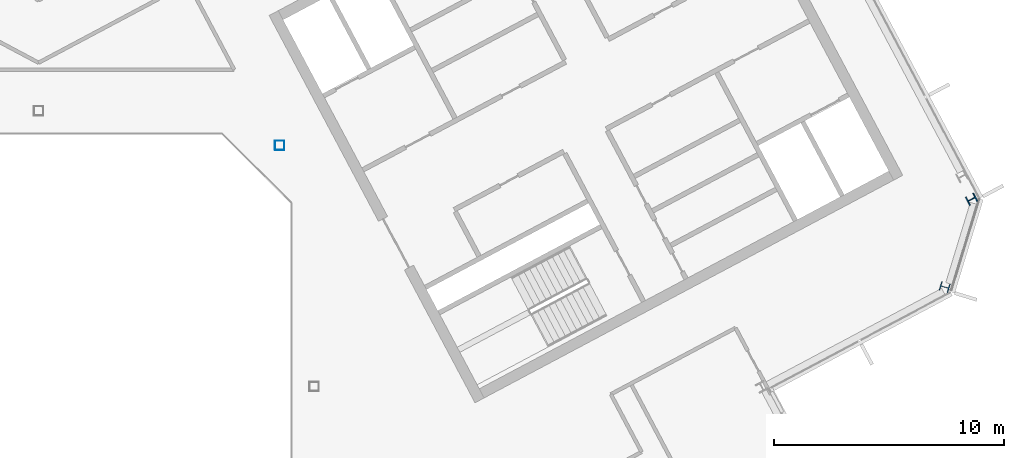
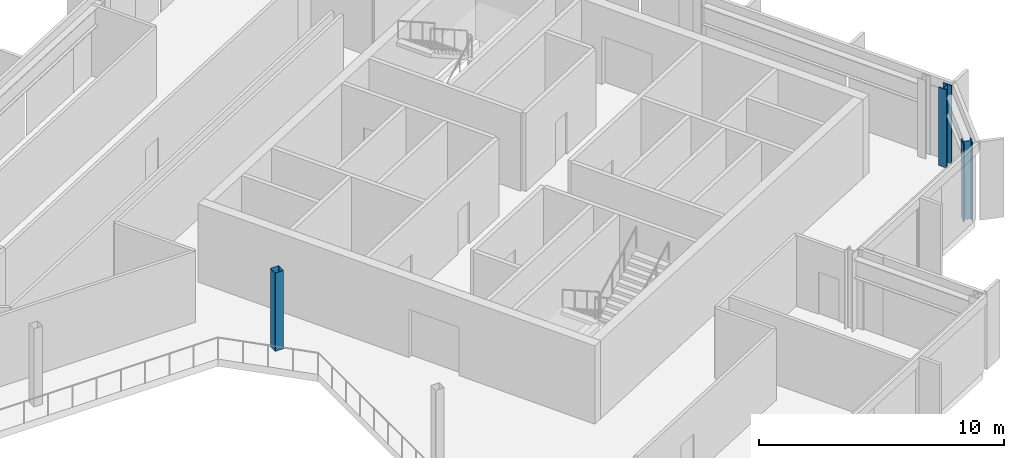
# One storey, part 6 of 25: 3 columns.
"""IFC4 building model written with IfcOpenShell, lengths in metres."""

from ifc_helpers import new_model, si_unit, direction, frame, origin, origin_2d, place, context, subcontext, project, spatial, hollow_rectangle, i_section, extrude, material, material_profile, profile_set, type_object, element, save


model = new_model("IFC4")

# Units and contexts
model_context = context("Model", 3, precision=1e-05, world=origin(), true_north=direction((0.0, 1.0)))
body_context = subcontext(model_context, "Body", "Model", "MODEL_VIEW")
ifc_project = project(units=[si_unit("LENGTHUNIT", "METRE"), si_unit("AREAUNIT", "SQUARE_METRE"), si_unit("VOLUMEUNIT", "CUBIC_METRE"), si_unit("PLANEANGLEUNIT", "RADIAN"), si_unit("MASSUNIT", "GRAM", prefix="KILO")], contexts=[model_context])

# Site, building, storey
site_placement = place(None, origin())
site = spatial("IfcSite", under=ifc_project, at=site_placement, CompositionType="ELEMENT")
building_placement = place(site_placement, origin())
building = spatial("IfcBuilding", under=site, at=building_placement, Name="Cormorant Relay Tower", CompositionType="ELEMENT")
storey_placement = place(building_placement, frame((0.0, 0.0, 289.199951171875)))
storey = spatial("IfcBuildingStorey", under=building, at=storey_placement, Name="L65", CompositionType="ELEMENT", Elevation=289.199951171875)

# Columns
ifc_material_1 = material(Name="Steel ASTM A500 Grade C (Fy 345 MPa)", Category="steel")
ifc_material_profile_1 = material_profile(ifc_material_1, hollow_rectangle(XDim=0.406494140625, YDim=0.406494140625, WallThickness=0.0087890625, InnerFilletRadius=0.00439453125, OuterFilletRadius=0.01318359375, at=origin_2d()), Name="HSS406x406x9")
ifc_profile_set_1 = profile_set([ifc_material_profile_1], Name="Steel ASTM A500 Grade C (Fy 345 MPa)")
column_type_1 = type_object("IfcColumnType", Name="Column HSS406x406x9", PredefinedType="COLUMN", material=ifc_profile_set_1)
column_placement = place(storey_placement, frame((10.5, 10.5, 0.0), z_axis=(0.0, 0.0, 1.0), x_axis=(1.0, 0.0, 0.0)))
element("IfcColumn", 1, at=column_placement, inside=storey, type_object=column_type_1, Name="Column L65-024", PredefinedType="COLUMN", context=body_context, shape_type="SweptSolid", body=[
    extrude(hollow_rectangle(XDim=0.406494140625, YDim=0.406494140625, WallThickness=0.0087890625, InnerFilletRadius=0.00439453125, OuterFilletRadius=0.01318359375, at=origin_2d()), origin(), (0.0, 0.0, 1.0), 3.900146484375),
])
ifc_material_2 = material(Name="Steel ASTM A992 (Fy 345 MPa)", Category="steel")
ifc_material_profile_2 = material_profile(ifc_material_2, i_section(OverallWidth=0.40380859375, OverallDepth=0.406494140625, WebThickness=0.027099609375, FlangeThickness=0.043701171875, FilletRadius=0.01513671875, at=origin_2d()), Name="W360x347")
ifc_profile_set_2 = profile_set([ifc_material_profile_2], Name="Steel ASTM A992 (Fy 345 MPa)")
column_type_2 = type_object("IfcColumnType", Name="Column W360x347", PredefinedType="COLUMN", material=ifc_profile_set_2)
for number, where, z_axis, x_axis, name in (
    (2, (39.464111328125, 4.330078125, 0.0), (0.0, 0.0, 1.0), (0.292371704723, 0.956304755963, 0.0), "Column L65-019"),
    (3, (40.633056640625, 8.153076171875, 0.0), (0.0, 0.0, 1.0), (-0.469471562786, 0.882947592859, 0.0), "Column L65-020"),
):
    element("IfcColumn", number, at=place(storey_placement, frame(where, z_axis=z_axis, x_axis=x_axis)), inside=storey, type_object=column_type_2, Name=name, PredefinedType="COLUMN", context=body_context, shape_type="SweptSolid", body=[
        extrude(i_section(OverallWidth=0.40380859375, OverallDepth=0.406494140625, WebThickness=0.027099609375, FlangeThickness=0.043701171875, FilletRadius=0.01513671875, at=origin_2d()), origin(), (0.0, 0.0, 1.0), 3.900146484375),
    ])

save(model, "model.ifc")
